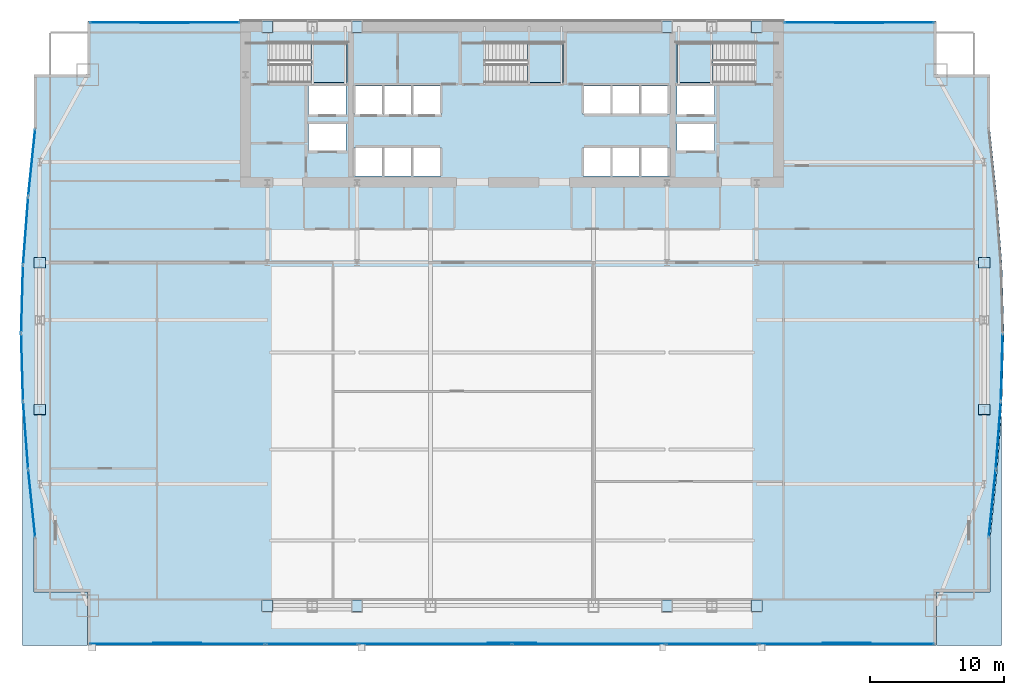
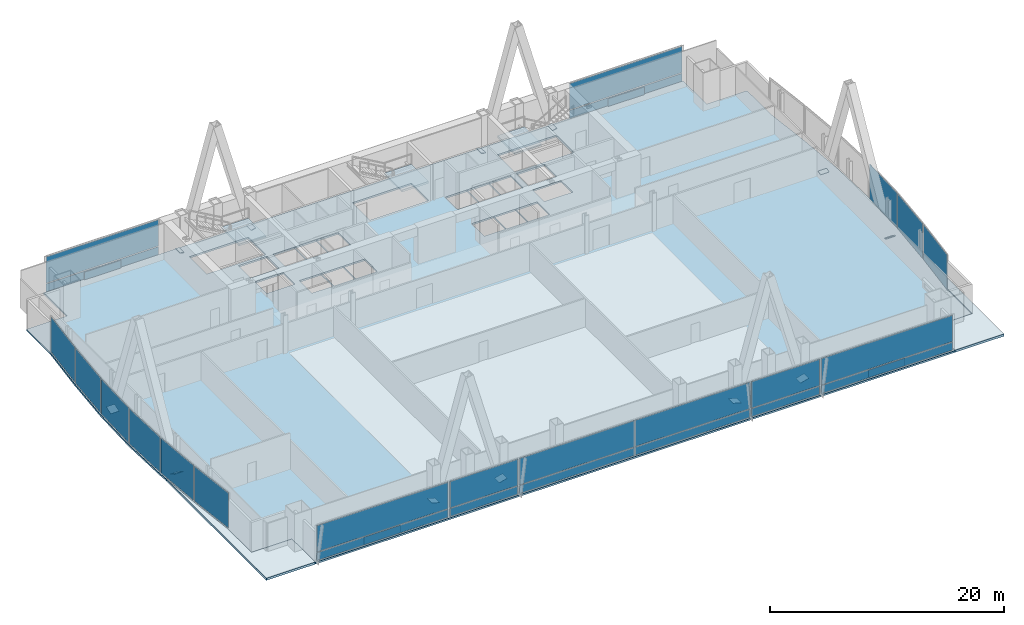
# One storey, part 26 of 35: 42 plates, 6 slabs, 19 elements without a shape of their own.
"""IFC4 building model written with IfcOpenShell, lengths in metres."""

import ifcopenshell
import ifcopenshell.guid

model = None  # the IFC model being written
_history = None  # IfcOwnerHistory: only IFC2X3 demands one
_inside = {}  # id of a spatial element -> (the spatial element, [elements in it])
_under = {}  # id of a project, library or spatial element -> (it, [spatial elements below it])
_declared = {}  # id of a project -> (the project, [libraries it declares])
_typed = {}  # id of a type object -> (the type object, [elements of that type])
_made_of = {}  # id of a material, layer set ... -> (it, [elements and type objects made of it])


def new_model(schema):
    """Start an empty IFC model of exactly this schema.

    Asked for "IFC4X3", IfcOpenShell would pick the latest addendum, in which some entities
    have other attributes; the version numbers below select the first issue.
    IFC2X3 requires an IfcOwnerHistory on every rooted entity: one is made here for all.
    """
    global model, _history
    if schema == "IFC4X3":
        model = ifcopenshell.file(schema_version=(4, 3, 0, 0))
    else:
        model = ifcopenshell.file(schema=schema)
    _inside.clear()
    _under.clear()
    _declared.clear()
    _typed.clear()
    _made_of.clear()
    _history = None
    if model.schema == "IFC2X3":
        org = make("IfcOrganization", Name="unknown")
        user = make(
            "IfcPersonAndOrganization",
            ThePerson=make("IfcPerson", FamilyName="unknown"),
            TheOrganization=org,
        )
        app = make(
            "IfcApplication",
            ApplicationDeveloper=org,
            Version="unknown",
            ApplicationFullName="unknown",
            ApplicationIdentifier="unknown",
        )
        _history = make(
            "IfcOwnerHistory",
            OwningUser=user,
            OwningApplication=app,
            ChangeAction="ADDED",
            CreationDate=0,
        )
    return model


def make(cls, **values):
    """One entity of the class cls with the attributes given. An attribute that is None is left unset."""
    return model.create_entity(
        cls, **{name: value for name, value in values.items() if value is not None}
    )


def rooted(cls, **values):
    """An entity with a GlobalId (a new one), such as an element, a storey or a relation."""
    return make(cls, GlobalId=ifcopenshell.guid.new(), OwnerHistory=_history, **values)


def si_unit(unit_type, name, prefix=None):
    """IfcSIUnit, for example si_unit("LENGTHUNIT", "METRE", prefix="MILLI")."""
    return make("IfcSIUnit", UnitType=unit_type, Prefix=prefix, Name=name)


def assignment(units):
    """IfcUnitAssignment: the units of a project."""
    return None if units is None else make("IfcUnitAssignment", Units=units)


def point(xyz):
    """IfcCartesianPoint."""
    return None if xyz is None else make("IfcCartesianPoint", Coordinates=xyz)


def direction(xyz):
    """IfcDirection."""
    return None if xyz is None else make("IfcDirection", DirectionRatios=xyz)


def frame(location, z_axis=None, x_axis=None):
    """IfcAxis2Placement3D, a coordinate frame: its origin and axes. An axis left out is left unset."""
    return make(
        "IfcAxis2Placement3D",
        Location=point(location),
        Axis=direction(z_axis),
        RefDirection=direction(x_axis),
    )


def frame_2d(location, x_axis=None):
    """IfcAxis2Placement2D, a coordinate frame in the plane: its origin and x axis."""
    return make(
        "IfcAxis2Placement2D", Location=point(location), RefDirection=direction(x_axis)
    )


def origin():
    """The frame at (0, 0, 0) with its axes left unset."""
    return frame((0.0, 0.0, 0.0))


def origin_2d():
    """The frame at (0, 0) in the plane with its x axis left unset."""
    return frame_2d((0.0, 0.0))


def place(relative_to, where):
    """IfcLocalPlacement: puts the frame where relative to a parent placement (None: the world)."""
    return make(
        "IfcLocalPlacement", PlacementRelTo=relative_to, RelativePlacement=where
    )


def context(
    kind, dimensions, precision=None, world=None, true_north=None, identifier=None
):
    """IfcGeometricRepresentationContext, for example the 3D "Model" context."""
    return make(
        "IfcGeometricRepresentationContext",
        ContextIdentifier=identifier,
        ContextType=kind,
        CoordinateSpaceDimension=dimensions,
        Precision=precision,
        WorldCoordinateSystem=world,
        TrueNorth=true_north,
    )


def subcontext(parent, identifier, kind, view, scale=None):
    """IfcGeometricRepresentationSubContext, for example "Body" below "Model"."""
    return make(
        "IfcGeometricRepresentationSubContext",
        ContextIdentifier=identifier,
        ContextType=kind,
        ParentContext=parent,
        TargetScale=scale,
        TargetView=view,
    )


def project(units=None, contexts=None):
    """IfcProject with its units and contexts."""
    return rooted(
        "IfcProject",
        Name="project",
        RepresentationContexts=contexts,
        UnitsInContext=assignment(units),
    )


def spatial(cls, under=None, at=None, **own):
    """A site, building, storey or space (cls), placed at a placement, below another one or the project."""
    s = rooted(cls, ObjectPlacement=at, **own)
    if under is not None:
        _under.setdefault(under.id(), (under, []))[1].append(s)
    return s


def polyline(points):
    """IfcPolyline through the points."""
    return make("IfcPolyline", Points=[point(p) for p in points])


def profile(cls, at=None, kind="AREA", **sizes):
    """A parametric profile (cls). Its sizes go by their IFC names, for example OverallWidth=200.0."""
    return make(cls, ProfileType=kind, Position=at, **sizes)


def rectangle(**sizes):
    """IfcRectangleProfileDef."""
    return profile("IfcRectangleProfileDef", **sizes)


def outline(outer, holes=None, kind="AREA"):
    """IfcArbitraryClosedProfileDef: a profile drawn as a closed curve; with holes, ...WithVoids."""
    if holes is None:
        return make("IfcArbitraryClosedProfileDef", ProfileType=kind, OuterCurve=outer)
    return make(
        "IfcArbitraryProfileDefWithVoids",
        ProfileType=kind,
        OuterCurve=outer,
        InnerCurves=holes,
    )


def extrude(swept, where, along, depth):
    """IfcExtrudedAreaSolid: the profile swept, set in the frame where, extruded along a direction by depth."""
    return make(
        "IfcExtrudedAreaSolid",
        SweptArea=swept,
        Position=where,
        ExtrudedDirection=direction(along),
        Depth=depth,
    )


def shape(context_of_items, identifier, shape_type, items):
    """IfcShapeRepresentation: the items that make up one representation, for example the "Body"."""
    return make(
        "IfcShapeRepresentation",
        ContextOfItems=context_of_items,
        RepresentationIdentifier=identifier,
        RepresentationType=shape_type,
        Items=items,
    )


def material(Name=None, Category=None):
    """IfcMaterial."""
    return make("IfcMaterial", Name=Name, Category=Category)


def layer(
    of_material, thickness, ventilated=None, Name=None, Category=None, Priority=None
):
    """IfcMaterialLayer: one layer of a wall or slab, of a material (None: an air gap)."""
    return make(
        "IfcMaterialLayer",
        Material=of_material,
        LayerThickness=thickness,
        IsVentilated=ventilated,
        Name=Name,
        Category=Category,
        Priority=Priority,
    )


def layer_set(layers, Name=None):
    """IfcMaterialLayerSet."""
    return make("IfcMaterialLayerSet", MaterialLayers=layers, LayerSetName=Name)


def made_of(thing, what):
    """Note that an element or type object is made of a material, layer set ...; save() writes the relation."""
    if what is not None:
        _made_of.setdefault(what.id(), (what, []))[1].append(thing)
    return thing


def type_object(cls, material=None, **own):
    """A type object (cls), such as IfcWallType, which elements share."""
    return made_of(rooted(cls, **own), material)


def element(
    cls,
    number,
    at=None,
    inside=None,
    cuts=None,
    type_object=None,
    material=None,
    context=None,
    identifier="Body",
    shape_type=None,
    held_by="IfcProductDefinitionShape",
    body=None,
    shapes=None,
    **own,
):
    """One element of the class cls, such as IfcWall. Its Tag is "e" and its number.

    at: its placement. inside: the storey or other place that contains it. cuts: it is an
    opening in that element (IfcRelVoidsElement). A single representation is given by context,
    identifier, shape_type and body (its items); several are given by shapes. held_by: the class
    of the entity that holds the representations. save() writes the other relations.
    """
    e = rooted(cls, Tag="e%d" % number, ObjectPlacement=at, **own)
    if body is not None:
        shapes = [shape(context, identifier, shape_type, body)]
    if shapes is not None:
        e.Representation = make(held_by, Representations=shapes)
    if inside is not None:
        _inside.setdefault(inside.id(), (inside, []))[1].append(e)
    if cuts is not None:
        rooted(
            "IfcRelVoidsElement", RelatingBuildingElement=cuts, RelatedOpeningElement=e
        )
    if type_object is not None:
        _typed.setdefault(type_object.id(), (type_object, []))[1].append(e)
    return made_of(e, material)


def aggregate(whole, parts):
    """IfcRelAggregates: a whole, such as a stair, and the parts it consists of."""
    return rooted("IfcRelAggregates", RelatingObject=whole, RelatedObjects=parts)


def save(model, path):
    """Write the relations noted so far, then the file.

    IfcRelAggregates (storeys below a building ...), IfcRelContainedInSpatialStructure (elements
    in a storey), IfcRelDefinesByType, IfcRelAssociatesMaterial and IfcRelDeclares: one each for
    every whole, place, type object, material and project.
    """
    for whole, parts in _under.values():
        aggregate(whole, parts)
    for where, things in _inside.values():
        rooted(
            "IfcRelContainedInSpatialStructure",
            RelatedElements=things,
            RelatingStructure=where,
        )
    for kind, things in _typed.values():
        rooted("IfcRelDefinesByType", RelatedObjects=things, RelatingType=kind)
    for what, things in _made_of.values():
        rooted("IfcRelAssociatesMaterial", RelatedObjects=things, RelatingMaterial=what)
    for by, libraries in _declared.values():
        rooted("IfcRelDeclares", RelatingContext=by, RelatedDefinitions=libraries)
    model.write(path)


model = new_model("IFC4")

# Units and contexts
model_context = context("Model", 3, precision=1e-05, world=origin(), true_north=direction((0.0, 1.0)))
body_context = subcontext(model_context, "Body", "Model", "MODEL_VIEW")
ifc_project = project(units=[si_unit("LENGTHUNIT", "METRE"), si_unit("AREAUNIT", "SQUARE_METRE"), si_unit("VOLUMEUNIT", "CUBIC_METRE"), si_unit("PLANEANGLEUNIT", "RADIAN"), si_unit("MASSUNIT", "GRAM", prefix="KILO")], contexts=[model_context])

# Site, building, storey
site_placement = place(None, origin())
site = spatial("IfcSite", under=ifc_project, at=site_placement, CompositionType="ELEMENT")
building_placement = place(site_placement, origin())
building = spatial("IfcBuilding", under=site, at=building_placement, Name="Khoronbel Lancet Exchange", CompositionType="ELEMENT")
storey_placement = place(building_placement, frame((0.0, 0.0, 25.800048828125)))
storey = spatial("IfcBuildingStorey", under=building, at=storey_placement, Name="L05", CompositionType="ELEMENT", Elevation=25.800048828125)

# Curtain wall, plate
ifc_material_1 = material(Name="Low-E Solar Control Insulating Glass", Category="glass")
curtain_wall_type_1 = type_object("IfcCurtainWallType", Name="CW-4", PredefinedType="NOTDEFINED", material=ifc_material_1)
curtain_wall_1_placement = place(storey_placement, origin())
curtain_wall_1 = element("IfcCurtainWall", 1, at=curtain_wall_1_placement, inside=storey, type_object=curtain_wall_type_1, Name="Unitised curtain wall CW-L05-E05", PredefinedType="NOTDEFINED")
ifc_material_2 = material(Name="Bronze-Anodised Aluminium 6063-T6", Category="aluminium")
ifc_layer_1 = layer(ifc_material_2, 0.050048828125, Name="Bronze-Anodised Aluminium 6063-T6")
ifc_layer_set_1 = layer_set([ifc_layer_1], Name="Bronze-Anodised Aluminium 6063-T6")
plate_type_1 = type_object("IfcPlateType", Name="PLT-CSP1", PredefinedType="SHEET", material=ifc_layer_set_1)
plate_1_placement = place(storey_placement, frame((0.22265625, 22.831298828125, 0.0849609375), z_axis=(0.0, 0.0, 1.0), x_axis=(-0.075395030141, 0.997153744129, 0.0)))
plate_1 = element("IfcPlate", 2, at=plate_1_placement, type_object=plate_type_1, Name="CW4 panel 1.1", PredefinedType="CURTAIN_PANEL", context=body_context, shape_type="SweptSolid", body=[
    extrude(rectangle(XDim=4.944580078125, YDim=0.0380859375, at=origin_2d()), origin(), (0.0, 0.0, 1.0), 3.64990234375),
])
aggregate(curtain_wall_1, [plate_1])

curtain_wall_2_placement = place(storey_placement, origin())
curtain_wall_2 = element("IfcCurtainWall", 3, at=curtain_wall_2_placement, inside=storey, type_object=curtain_wall_type_1, Name="Unitised curtain wall CW-L05-E06", PredefinedType="NOTDEFINED")
plate_2_placement = place(storey_placement, frame((-0.039794921875, 27.91064453125, 0.0849609375), z_axis=(0.0, 0.0, 1.0), x_axis=(-0.027673647157, 0.999617011286, 0.0)))
plate_2 = element("IfcPlate", 4, at=plate_2_placement, type_object=plate_type_1, Name="CW4 panel 1.1", PredefinedType="CURTAIN_PANEL", context=body_context, shape_type="SweptSolid", body=[
    extrude(rectangle(XDim=4.9306640625, YDim=0.0380859375, at=origin_2d()), origin(), (0.0, 0.0, 1.0), 3.64990234375),
])
aggregate(curtain_wall_2, [plate_2])

curtain_wall_3_placement = place(storey_placement, origin())
curtain_wall_3 = element("IfcCurtainWall", 5, at=curtain_wall_3_placement, inside=storey, type_object=curtain_wall_type_1, Name="Unitised curtain wall CW-L05-E07", PredefinedType="NOTDEFINED")
plate_3_placement = place(storey_placement, frame((-0.039794921875, 32.9892578125, 0.0849609375), z_axis=(0.0, 0.0, 1.0), x_axis=(0.027673647157, 0.999617011286, 0.0)))
plate_3 = element("IfcPlate", 6, at=plate_3_placement, type_object=plate_type_1, Name="CW4 panel 1.1", PredefinedType="CURTAIN_PANEL", context=body_context, shape_type="SweptSolid", body=[
    extrude(rectangle(XDim=4.9306640625, YDim=0.0380859375, at=origin_2d()), origin(), (0.0, 0.0, 1.0), 3.64990234375),
])
aggregate(curtain_wall_3, [plate_3])

curtain_wall_4_placement = place(storey_placement, origin())
curtain_wall_4 = element("IfcCurtainWall", 7, at=curtain_wall_4_placement, inside=storey, type_object=curtain_wall_type_1, Name="Unitised curtain wall CW-L05-E08", PredefinedType="NOTDEFINED")
plate_4_placement = place(storey_placement, frame((0.22265625, 38.068603515625, 0.0849609375), z_axis=(0.0, 0.0, 1.0), x_axis=(0.075395030141, 0.997153744129, 0.0)))
plate_4 = element("IfcPlate", 8, at=plate_4_placement, type_object=plate_type_1, Name="CW4 panel 1.1", PredefinedType="CURTAIN_PANEL", context=body_context, shape_type="SweptSolid", body=[
    extrude(rectangle(XDim=4.944580078125, YDim=0.0380859375, at=origin_2d()), origin(), (0.0, 0.0, 1.0), 3.64990234375),
])
aggregate(curtain_wall_4, [plate_4])

curtain_wall_type_2 = type_object("IfcCurtainWallType", Name="CW-1", PredefinedType="NOTDEFINED", material=ifc_material_1)
curtain_wall_5_placement = place(storey_placement, origin())
curtain_wall_5 = element("IfcCurtainWall", 9, at=curtain_wall_5_placement, inside=storey, type_object=curtain_wall_type_2, Name="Unitised curtain wall CW-L05-NWFLK", PredefinedType="NOTDEFINED")
plate_5_placement = place(storey_placement, frame((10.580078125, 53.550048828125, 0.0498046875), z_axis=(0.0, 0.0, 1.0), x_axis=(-1.0, 0.0, 0.0)))
plate_5 = element("IfcPlate", 10, at=plate_5_placement, type_object=plate_type_1, Name="Insulated bronze spandrel cassette CW-L05-NWFLK", PredefinedType="SHEET", context=body_context, shape_type="SweptSolid", body=[
    extrude(rectangle(XDim=3.60009765625, YDim=0.050048828125, at=origin_2d()), origin(), (0.0, 0.0, 1.0), 0.800048828125),
])

curtain_wall_6_placement = place(storey_placement, origin())
curtain_wall_6 = element("IfcCurtainWall", 11, at=curtain_wall_6_placement, inside=storey, type_object=curtain_wall_type_2, Name="Unitised curtain wall CW-L05-NEFLK", PredefinedType="NOTDEFINED")
plate_6_placement = place(storey_placement, frame((62.320068359375, 53.550048828125, 0.0498046875), z_axis=(0.0, 0.0, 1.0), x_axis=(-1.0, 0.0, 0.0)))
plate_6 = element("IfcPlate", 12, at=plate_6_placement, type_object=plate_type_1, Name="Insulated bronze spandrel cassette CW-L05-NEFLK", PredefinedType="SHEET", context=body_context, shape_type="SweptSolid", body=[
    extrude(rectangle(XDim=3.60009765625, YDim=0.050048828125, at=origin_2d()), origin(), (0.0, 0.0, 1.0), 0.800048828125),
])

curtain_wall_7_placement = place(storey_placement, origin())
curtain_wall_7 = element("IfcCurtainWall", 13, at=curtain_wall_7_placement, inside=storey, type_object=curtain_wall_type_1, Name="Unitised curtain wall CW-L05-E20", PredefinedType="NOTDEFINED")
plate_7_placement = place(storey_placement, frame((72.939697265625, 27.91064453125, 0.0849609375), z_axis=(0.0, 0.0, 1.0), x_axis=(-0.027673647157, -0.999617011286, 0.0)))
plate_7 = element("IfcPlate", 14, at=plate_7_placement, type_object=plate_type_1, Name="CW4 panel 1.1", PredefinedType="CURTAIN_PANEL", context=body_context, shape_type="SweptSolid", body=[
    extrude(rectangle(XDim=4.9306640625, YDim=0.0380859375, at=origin_2d()), origin(), (0.0, 0.0, 1.0), 3.64990234375),
])
aggregate(curtain_wall_7, [plate_7])

curtain_wall_8_placement = place(storey_placement, origin())
curtain_wall_8 = element("IfcCurtainWall", 15, at=curtain_wall_8_placement, inside=storey, type_object=curtain_wall_type_1, Name="Unitised curtain wall CW-L05-E21", PredefinedType="NOTDEFINED")
plate_8_placement = place(storey_placement, frame((72.67724609375, 22.831298828125, 0.0849609375), z_axis=(0.0, 0.0, 1.0), x_axis=(-0.075395030141, -0.997153744129, 0.0)))
plate_8 = element("IfcPlate", 16, at=plate_8_placement, type_object=plate_type_1, Name="CW4 panel 1.1", PredefinedType="CURTAIN_PANEL", context=body_context, shape_type="SweptSolid", body=[
    extrude(rectangle(XDim=4.944580078125, YDim=0.0380859375, at=origin_2d()), origin(), (0.0, 0.0, 1.0), 3.64990234375),
])
aggregate(curtain_wall_8, [plate_8])

curtain_wall_9_placement = place(storey_placement, origin())
curtain_wall_9 = element("IfcCurtainWall", 17, at=curtain_wall_9_placement, inside=storey, type_object=curtain_wall_type_2, Name="Unitised curtain wall CW-L05-SWV", PredefinedType="NOTDEFINED")
plate_9_placement = place(storey_placement, frame((11.52001953125, 7.35009765625, 0.0498046875), z_axis=(0.0, 0.0, 1.0), x_axis=(1.0, 0.0, 0.0)))
plate_9 = element("IfcPlate", 18, at=plate_9_placement, type_object=plate_type_1, Name="Insulated bronze spandrel cassette CW-L05-SWV", PredefinedType="SHEET", context=body_context, shape_type="SweptSolid", body=[
    extrude(rectangle(XDim=3.60009765625, YDim=0.050048828125, at=origin_2d()), origin(), (0.0, 0.0, 1.0), 0.800048828125),
])

# Curtain wall, plates
curtain_wall_10_placement = place(storey_placement, origin())
curtain_wall_10 = element("IfcCurtainWall", 19, at=curtain_wall_10_placement, inside=storey, type_object=curtain_wall_type_2, Name="Unitised curtain wall CW-L05-SWB", PredefinedType="NOTDEFINED")
plate_10_placement = place(storey_placement, frame((21.550048828125, 7.2900390625, 0.0849609375), z_axis=(0.0, 0.0, 1.0), x_axis=(1.0, 0.0, 0.0)))
plate_10 = element("IfcPlate", 20, at=plate_10_placement, type_object=plate_type_1, Name="CW1 panel 1.1", PredefinedType="CURTAIN_PANEL", context=body_context, shape_type="SweptSolid", body=[
    extrude(rectangle(XDim=6.72998046875, YDim=0.0380859375, at=origin_2d()), origin(), (0.0, 0.0, 1.0), 0.822509765625),
])
plate_11_placement = place(storey_placement, frame((21.550048828125, 7.2900390625, 0.99267578125), z_axis=(0.0, 0.0, 1.0), x_axis=(1.0, 0.0, 0.0)))
plate_11 = element("IfcPlate", 21, at=plate_11_placement, type_object=plate_type_1, Name="CW1 panel 1.2", PredefinedType="CURTAIN_PANEL", context=body_context, shape_type="SweptSolid", body=[
    extrude(rectangle(XDim=6.72998046875, YDim=0.0380859375, at=origin_2d()), origin(), (0.0, 0.0, 1.0), 2.742431640625),
])
aggregate(curtain_wall_10, [plate_10, plate_11])

# Curtain wall, plate
curtain_wall_11_placement = place(storey_placement, origin())
curtain_wall_11 = element("IfcCurtainWall", 22, at=curtain_wall_11_placement, inside=storey, type_object=curtain_wall_type_2, Name="Unitised curtain wall CW-L05-SCV", PredefinedType="NOTDEFINED")
plate_12_placement = place(storey_placement, frame((36.449951171875, 7.35009765625, 0.0498046875), z_axis=(0.0, 0.0, 1.0), x_axis=(1.0, 0.0, 0.0)))
plate_12 = element("IfcPlate", 23, at=plate_12_placement, type_object=plate_type_1, Name="Insulated bronze spandrel cassette CW-L05-SCV", PredefinedType="SHEET", context=body_context, shape_type="SweptSolid", body=[
    extrude(rectangle(XDim=3.60009765625, YDim=0.050048828125, at=origin_2d()), origin(), (0.0, 0.0, 1.0), 0.800048828125),
])

# Curtain wall, plates
curtain_wall_12_placement = place(storey_placement, origin())
curtain_wall_12 = element("IfcCurtainWall", 24, at=curtain_wall_12_placement, inside=storey, type_object=curtain_wall_type_2, Name="Unitised curtain wall CW-L05-SEB", PredefinedType="NOTDEFINED")
plate_13_placement = place(storey_placement, frame((51.35009765625, 7.2900390625, 0.0849609375), z_axis=(0.0, 0.0, 1.0), x_axis=(1.0, 0.0, 0.0)))
plate_13 = element("IfcPlate", 25, at=plate_13_placement, type_object=plate_type_1, Name="CW1 panel 1.1", PredefinedType="CURTAIN_PANEL", context=body_context, shape_type="SweptSolid", body=[
    extrude(rectangle(XDim=6.72998046875, YDim=0.0380859375, at=origin_2d()), origin(), (0.0, 0.0, 1.0), 0.822509765625),
])
plate_14_placement = place(storey_placement, frame((51.35009765625, 7.2900390625, 0.99267578125), z_axis=(0.0, 0.0, 1.0), x_axis=(1.0, 0.0, 0.0)))
plate_14 = element("IfcPlate", 26, at=plate_14_placement, type_object=plate_type_1, Name="CW1 panel 1.2", PredefinedType="CURTAIN_PANEL", context=body_context, shape_type="SweptSolid", body=[
    extrude(rectangle(XDim=6.72998046875, YDim=0.0380859375, at=origin_2d()), origin(), (0.0, 0.0, 1.0), 2.742431640625),
])
aggregate(curtain_wall_12, [plate_13, plate_14])

# Curtain wall, plate
curtain_wall_13_placement = place(storey_placement, origin())
curtain_wall_13 = element("IfcCurtainWall", 27, at=curtain_wall_13_placement, inside=storey, type_object=curtain_wall_type_2, Name="Unitised curtain wall CW-L05-SEV", PredefinedType="NOTDEFINED")
plate_15_placement = place(storey_placement, frame((61.3798828125, 7.35009765625, 0.0498046875), z_axis=(0.0, 0.0, 1.0), x_axis=(1.0, 0.0, 0.0)))
plate_15 = element("IfcPlate", 28, at=plate_15_placement, type_object=plate_type_1, Name="Insulated bronze spandrel cassette CW-L05-SEV", PredefinedType="SHEET", context=body_context, shape_type="SweptSolid", body=[
    extrude(rectangle(XDim=3.60009765625, YDim=0.050048828125, at=origin_2d()), origin(), (0.0, 0.0, 1.0), 0.800048828125),
])

# Plate
ifc_layer_2 = layer(ifc_material_1, 0.035888671875, Name="Low-E Solar Control Insulating Glass")
ifc_layer_set_2 = layer_set([ifc_layer_2], Name="Low-E Solar Control Insulating Glass")
plate_type_2 = type_object("IfcPlateType", Name="PLT-CWP1", PredefinedType="CURTAIN_PANEL", material=ifc_layer_set_2)
plate_16_placement = place(storey_placement, frame((10.580078125, 53.610107421875, 0.0849609375), z_axis=(0.0, 0.0, 1.0), x_axis=(-1.0, 0.0, 0.0)))
plate_16 = element("IfcPlate", 29, at=plate_16_placement, type_object=plate_type_2, Name="CW1 panel 1.1", PredefinedType="CURTAIN_PANEL", context=body_context, shape_type="SweptSolid", body=[
    extrude(rectangle(XDim=11.110107421875, YDim=0.0380859375, at=origin_2d()), origin(), (0.0, 0.0, 1.0), 0.822509765625),
])

plate_17_placement = place(storey_placement, frame((10.580078125, 53.610107421875, 0.99267578125), z_axis=(0.0, 0.0, 1.0), x_axis=(-1.0, 0.0, 0.0)))
plate_17 = element("IfcPlate", 30, at=plate_17_placement, type_object=plate_type_2, Name="CW1 panel 1.2", PredefinedType="CURTAIN_PANEL", context=body_context, shape_type="SweptSolid", body=[
    extrude(rectangle(XDim=11.110107421875, YDim=0.0380859375, at=origin_2d()), origin(), (0.0, 0.0, 1.0), 2.742431640625),
])

aggregate(curtain_wall_5, [plate_16, plate_17, plate_5])

plate_18_placement = place(storey_placement, frame((62.320068359375, 53.610107421875, 0.0849609375), z_axis=(0.0, 0.0, 1.0), x_axis=(-1.0, 0.0, 0.0)))
plate_18 = element("IfcPlate", 31, at=plate_18_placement, type_object=plate_type_2, Name="CW1 panel 1.1", PredefinedType="CURTAIN_PANEL", context=body_context, shape_type="SweptSolid", body=[
    extrude(rectangle(XDim=11.110107421875, YDim=0.0380859375, at=origin_2d()), origin(), (0.0, 0.0, 1.0), 0.822509765625),
])

plate_19_placement = place(storey_placement, frame((62.320068359375, 53.610107421875, 0.99267578125), z_axis=(0.0, 0.0, 1.0), x_axis=(-1.0, 0.0, 0.0)))
plate_19 = element("IfcPlate", 32, at=plate_19_placement, type_object=plate_type_2, Name="CW1 panel 1.2", PredefinedType="CURTAIN_PANEL", context=body_context, shape_type="SweptSolid", body=[
    extrude(rectangle(XDim=11.110107421875, YDim=0.0380859375, at=origin_2d()), origin(), (0.0, 0.0, 1.0), 2.742431640625),
])

aggregate(curtain_wall_6, [plate_18, plate_19, plate_6])

plate_20_placement = place(storey_placement, frame((11.52001953125, 7.2900390625, 0.0849609375), z_axis=(0.0, 0.0, 1.0), x_axis=(1.0, 0.0, 0.0)))
plate_20 = element("IfcPlate", 33, at=plate_20_placement, type_object=plate_type_2, Name="CW1 panel 1.1", PredefinedType="CURTAIN_PANEL", context=body_context, shape_type="SweptSolid", body=[
    extrude(rectangle(XDim=12.989990234375, YDim=0.0380859375, at=origin_2d()), origin(), (0.0, 0.0, 1.0), 0.822509765625),
])

plate_21_placement = place(storey_placement, frame((11.52001953125, 7.2900390625, 0.99267578125), z_axis=(0.0, 0.0, 1.0), x_axis=(1.0, 0.0, 0.0)))
plate_21 = element("IfcPlate", 34, at=plate_21_placement, type_object=plate_type_2, Name="CW1 panel 1.2", PredefinedType="CURTAIN_PANEL", context=body_context, shape_type="SweptSolid", body=[
    extrude(rectangle(XDim=12.989990234375, YDim=0.0380859375, at=origin_2d()), origin(), (0.0, 0.0, 1.0), 2.742431640625),
])

aggregate(curtain_wall_9, [plate_20, plate_21, plate_9])

plate_22_placement = place(storey_placement, frame((30.746337890625, 7.2900390625, 0.0849609375), z_axis=(0.0, 0.0, 1.0), x_axis=(1.0, 0.0, 0.0)))
plate_22 = element("IfcPlate", 35, at=plate_22_placement, type_object=plate_type_2, Name="CW1 panel 1.1", PredefinedType="CURTAIN_PANEL", context=body_context, shape_type="SweptSolid", body=[
    extrude(rectangle(XDim=11.322509765625, YDim=0.0380859375, at=origin_2d()), origin(), (0.0, 0.0, 1.0), 0.822509765625),
])

plate_23_placement = place(storey_placement, frame((30.746337890625, 7.2900390625, 0.99267578125), z_axis=(0.0, 0.0, 1.0), x_axis=(1.0, 0.0, 0.0)))
plate_23 = element("IfcPlate", 36, at=plate_23_placement, type_object=plate_type_2, Name="CW1 panel 1.2", PredefinedType="CURTAIN_PANEL", context=body_context, shape_type="SweptSolid", body=[
    extrude(rectangle(XDim=11.322509765625, YDim=0.0380859375, at=origin_2d()), origin(), (0.0, 0.0, 1.0), 2.742431640625),
])

plate_24_placement = place(storey_placement, frame((42.15380859375, 7.2900390625, 0.0849609375), z_axis=(0.0, 0.0, 1.0), x_axis=(1.0, 0.0, 0.0)))
plate_24 = element("IfcPlate", 37, at=plate_24_placement, type_object=plate_type_2, Name="CW1 panel 2.1", PredefinedType="CURTAIN_PANEL", context=body_context, shape_type="SweptSolid", body=[
    extrude(rectangle(XDim=11.322509765625, YDim=0.0380859375, at=origin_2d()), origin(), (0.0, 0.0, 1.0), 0.822509765625),
])

plate_25_placement = place(storey_placement, frame((42.15380859375, 7.2900390625, 0.99267578125), z_axis=(0.0, 0.0, 1.0), x_axis=(1.0, 0.0, 0.0)))
plate_25 = element("IfcPlate", 38, at=plate_25_placement, type_object=plate_type_2, Name="CW1 panel 2.2", PredefinedType="CURTAIN_PANEL", context=body_context, shape_type="SweptSolid", body=[
    extrude(rectangle(XDim=11.322509765625, YDim=0.0380859375, at=origin_2d()), origin(), (0.0, 0.0, 1.0), 2.742431640625),
])

aggregate(curtain_wall_11, [plate_22, plate_23, plate_24, plate_25, plate_12])

plate_26_placement = place(storey_placement, frame((61.3798828125, 7.2900390625, 0.0849609375), z_axis=(0.0, 0.0, 1.0), x_axis=(1.0, 0.0, 0.0)))
plate_26 = element("IfcPlate", 39, at=plate_26_placement, type_object=plate_type_2, Name="CW1 panel 1.1", PredefinedType="CURTAIN_PANEL", context=body_context, shape_type="SweptSolid", body=[
    extrude(rectangle(XDim=12.989990234375, YDim=0.0380859375, at=origin_2d()), origin(), (0.0, 0.0, 1.0), 0.822509765625),
])

plate_27_placement = place(storey_placement, frame((61.3798828125, 7.2900390625, 0.99267578125), z_axis=(0.0, 0.0, 1.0), x_axis=(1.0, 0.0, 0.0)))
plate_27 = element("IfcPlate", 40, at=plate_27_placement, type_object=plate_type_2, Name="CW1 panel 1.2", PredefinedType="CURTAIN_PANEL", context=body_context, shape_type="SweptSolid", body=[
    extrude(rectangle(XDim=12.989990234375, YDim=0.0380859375, at=origin_2d()), origin(), (0.0, 0.0, 1.0), 2.742431640625),
])

aggregate(curtain_wall_13, [plate_26, plate_27, plate_15])

# Curtain wall, plate
curtain_wall_14_placement = place(storey_placement, origin())
curtain_wall_14 = element("IfcCurtainWall", 41, at=curtain_wall_14_placement, inside=storey, type_object=curtain_wall_type_1, Name="Unitised curtain wall CW-L05-E04", PredefinedType="NOTDEFINED")
ifc_material_3 = material(Name="Ceramic-Fritted Laminated Insulating Glass", Category="glass")
ifc_layer_3 = layer(ifc_material_3, 0.0419921875, Name="Ceramic-Fritted Laminated Insulating Glass")
ifc_layer_set_3 = layer_set([ifc_layer_3], Name="Ceramic-Fritted Laminated Insulating Glass")
plate_type_3 = type_object("IfcPlateType", Name="PLT-CWP2", PredefinedType="CURTAIN_PANEL", material=ifc_layer_set_3)
plate_28_placement = place(storey_placement, frame((0.67724609375, 17.748046875, 0.0849609375), z_axis=(0.0, 0.0, 1.0), x_axis=(-0.102723015403, 0.994709998998, 0.0)))
plate_28 = element("IfcPlate", 42, at=plate_28_placement, type_object=plate_type_3, Name="CW4 panel 1.1", PredefinedType="CURTAIN_PANEL", context=body_context, shape_type="SweptSolid", body=[
    extrude(rectangle(XDim=4.9638671875, YDim=0.0380859375, at=origin_2d()), origin(), (0.0, 0.0, 1.0), 3.64990234375),
])
aggregate(curtain_wall_14, [plate_28])

curtain_wall_15_placement = place(storey_placement, origin())
curtain_wall_15 = element("IfcCurtainWall", 43, at=curtain_wall_15_placement, inside=storey, type_object=curtain_wall_type_1, Name="Unitised curtain wall CW-L05-E09", PredefinedType="NOTDEFINED")
plate_29_placement = place(storey_placement, frame((0.67724609375, 43.152099609375, 0.0849609375), z_axis=(0.0, 0.0, 1.0), x_axis=(0.102723015403, 0.994709998998, 0.0)))
plate_29 = element("IfcPlate", 44, at=plate_29_placement, type_object=plate_type_3, Name="CW4 panel 1.1", PredefinedType="CURTAIN_PANEL", context=body_context, shape_type="SweptSolid", body=[
    extrude(rectangle(XDim=4.9638671875, YDim=0.0380859375, at=origin_2d()), origin(), (0.0, 0.0, 1.0), 3.64990234375),
])
aggregate(curtain_wall_15, [plate_29])

curtain_wall_16_placement = place(storey_placement, origin())
curtain_wall_16 = element("IfcCurtainWall", 45, at=curtain_wall_16_placement, inside=storey, type_object=curtain_wall_type_1, Name="Unitised curtain wall CW-L05-E22", PredefinedType="NOTDEFINED")
plate_30_placement = place(storey_placement, frame((72.22265625, 17.748046875, 0.0849609375), z_axis=(0.0, 0.0, 1.0), x_axis=(-0.102723015403, -0.994709998998, 0.0)))
plate_30 = element("IfcPlate", 46, at=plate_30_placement, type_object=plate_type_3, Name="CW4 panel 1.1", PredefinedType="CURTAIN_PANEL", context=body_context, shape_type="SweptSolid", body=[
    extrude(rectangle(XDim=4.9638671875, YDim=0.0380859375, at=origin_2d()), origin(), (0.0, 0.0, 1.0), 3.64990234375),
])
aggregate(curtain_wall_16, [plate_30])

# Plates
ifc_material_4 = material(Name="Steel S460", Category="steel")
ifc_layer_4 = layer(ifc_material_4, 0.044921875, Name="Steel S460")
ifc_layer_set_4 = layer_set([ifc_layer_4], Name="Steel S460")
plate_type_4 = type_object("IfcPlateType", Name="PLT-ECP1", PredefinedType="USERDEFINED", material=ifc_layer_set_4)
for number, where, z_axis, x_axis, name in (
    (47, (18.6328125, 9.72998046875, -0.10107421875), (0.26795862665, 0.0, 0.963430420115), (0.0, 1.0, 0.0), "Hollow end cap plate PLT-CAP-MEM-MB-T01-S-W-L-0"),
    (48, (24.4921875, 10.570068359375, -0.10107421875), (-0.26795862665, 0.0, 0.963430420115), (0.0, -1.0, 0.0), "Hollow end cap plate PLT-CAP-MEM-MB-T01-S-W-R-0"),
    (49, (48.407958984375, 9.72998046875, -0.10107421875), (0.26795862665, 0.0, 0.963430420115), (0.0, 1.0, 0.0), "Hollow end cap plate PLT-CAP-MEM-MB-T01-S-E-L-0"),
    (50, (54.26708984375, 10.570068359375, -0.10107421875), (-0.26795862665, 0.0, 0.963430420115), (0.0, -1.0, 0.0), "Hollow end cap plate PLT-CAP-MEM-MB-T01-S-E-R-0"),
):
    element("IfcPlate", number, at=place(storey_placement, frame(where, z_axis=z_axis, x_axis=x_axis)), inside=storey, type_object=plate_type_4, Name=name, ObjectType="STIFFENER_PLATE", PredefinedType="USERDEFINED", context=body_context, shape_type="SweptSolid", body=[
        extrude(outline(polyline([(0.0, 0.0), (0.840087890625, 0.0), (0.840087890625, 0.840087890625), (0.0, 0.840087890625), (0.0, 0.0)])), origin(), (0.0, 0.0, -1.0), 0.044921875),
    ])
for number, where, z_axis, x_axis, name in (
    (51, (18.6328125, 52.860107421875, -0.10107421875), (0.26795862665, 0.0, 0.963430420115), (0.0, 1.0, 0.0), "Hollow end cap plate PLT-CAP-MEM-MB-T01-N-W-L-0"),
    (52, (24.4921875, 53.699951171875, -0.10107421875), (-0.26795862665, 0.0, 0.963430420115), (0.0, -1.0, 0.0), "Hollow end cap plate PLT-CAP-MEM-MB-T01-N-W-R-0"),
    (53, (48.407958984375, 52.860107421875, -0.10107421875), (0.26795862665, 0.0, 0.963430420115), (0.0, 1.0, 0.0), "Hollow end cap plate PLT-CAP-MEM-MB-T01-N-E-L-0"),
    (54, (54.26708984375, 53.699951171875, -0.10107421875), (-0.26795862665, 0.0, 0.963430420115), (0.0, -1.0, 0.0), "Hollow end cap plate PLT-CAP-MEM-MB-T01-N-E-R-0"),
):
    element("IfcPlate", number, at=place(storey_placement, frame(where, z_axis=z_axis, x_axis=x_axis)), inside=storey, type_object=plate_type_4, Name=name, ObjectType="STIFFENER_PLATE", PredefinedType="USERDEFINED", context=body_context, shape_type="SweptSolid", body=[
        extrude(outline(polyline([(0.0, 0.0), (0.83984375, 0.0), (0.83984375, 0.840087890625), (0.0, 0.840087890625), (0.0, 0.0)])), origin(), (0.0, 0.0, -1.0), 0.044921875),
    ])
for number, where, z_axis, x_axis, name in (
    (55, (1.68994140625, 25.122802734375, -0.19384765625), (0.0, 0.486309162349, 0.873786815314), (-1.0, 0.0, 0.0), "Hollow end cap plate PLT-CAP-MEM-MB-T01-W-P-L-0"),
    (56, (0.85009765625, 35.30029296875, -0.129638671875), (0.0, -0.335433979759, 0.942063716116), (1.0, 0.0, 0.0), "Hollow end cap plate PLT-CAP-MEM-MB-T01-W-P-R-0"),
):
    element("IfcPlate", number, at=place(storey_placement, frame(where, z_axis=z_axis, x_axis=x_axis)), inside=storey, type_object=plate_type_4, Name=name, ObjectType="STIFFENER_PLATE", PredefinedType="USERDEFINED", context=body_context, shape_type="SweptSolid", body=[
        extrude(outline(polyline([(0.0, 0.0), (0.83984375, 0.0), (0.83984375, 0.83984375), (0.0, 0.83984375), (0.0, 0.0)])), origin(), (0.0, 0.0, -1.0), 0.044921875),
    ])
for number, where, z_axis, x_axis, name in (
    (57, (72.050048828125, 25.122802734375, -0.19384765625), (0.0, 0.486309162349, 0.873786815314), (-1.0, 0.0, 0.0), "Hollow end cap plate PLT-CAP-MEM-MB-T01-E-P-L-0"),
    (58, (71.2099609375, 35.30029296875, -0.129638671875), (0.0, -0.335433979759, 0.942063716116), (1.0, 0.0, 0.0), "Hollow end cap plate PLT-CAP-MEM-MB-T01-E-P-R-0"),
):
    element("IfcPlate", number, at=place(storey_placement, frame(where, z_axis=z_axis, x_axis=x_axis)), inside=storey, type_object=plate_type_4, Name=name, ObjectType="STIFFENER_PLATE", PredefinedType="USERDEFINED", context=body_context, shape_type="SweptSolid", body=[
        extrude(outline(polyline([(0.0, 0.0), (0.840087890625, 0.0), (0.840087890625, 0.83984375), (0.0, 0.83984375), (0.0, 0.0)])), origin(), (0.0, 0.0, -1.0), 0.044921875),
    ])

# Slab
ifc_material_5 = material(Name="Concrete C40/50", Category="concrete")
ifc_layer_5 = layer(ifc_material_5, 0.179931640625, Name="Concrete C40/50")
ifc_layer_set_5 = layer_set([ifc_layer_5], Name="Concrete C40/50")
slab_type_1 = type_object("IfcSlabType", Name="SL-FL180", PredefinedType="FLOOR", material=ifc_layer_set_5)
slab_1_placement = place(storey_placement, frame((0.0, 0.0, -0.179931640625)))
element("IfcSlab", 59, at=slab_1_placement, inside=storey, type_object=slab_type_1, Name="Level L05 composite structural floor slab", PredefinedType="FLOOR", context=body_context, shape_type="SweptSolid", body=[
    extrude(outline(polyline([(4.85009765625, 7.199951171875), (68.050048828125, 7.199951171875), (68.050048828125, 11.199951171875), (72.050048828125, 11.199951171875), (72.050048828125, 15.199951171875), (72.574951171875, 20.283203125), (72.959228515625, 25.36669921875), (73.10009765625, 30.449951171875), (72.959228515625, 35.533203125), (72.574951171875, 40.61669921875), (72.050048828125, 45.699951171875), (72.050048828125, 49.699951171875), (68.050048828125, 49.699951171875), (68.050048828125, 53.699951171875), (4.85009765625, 53.699951171875), (4.85009765625, 49.699951171875), (0.85009765625, 49.699951171875), (0.85009765625, 45.699951171875), (0.324951171875, 40.61669921875), (-0.059326171875, 35.533203125), (-0.199951171875, 30.449951171875), (-0.059326171875, 25.36669921875), (0.324951171875, 20.283203125), (0.85009765625, 15.199951171875), (0.85009765625, 11.199951171875), (4.85009765625, 11.199951171875), (4.85009765625, 7.199951171875)]), holes=[polyline([(18.324951171875, 49.1201171875), (24.14990234375, 49.1201171875), (24.14990234375, 52.10009765625), (18.324951171875, 52.10009765625), (18.324951171875, 49.1201171875)]), polyline([(48.75, 49.1201171875), (54.574951171875, 49.1201171875), (54.574951171875, 52.10009765625), (48.75, 52.10009765625), (48.75, 49.1201171875)]), polyline([(34.425048828125, 49.1201171875), (40.25, 49.1201171875), (40.25, 52.10009765625), (34.425048828125, 52.10009765625), (34.425048828125, 49.1201171875)]), polyline([(24.699951171875, 46.75), (26.840087890625, 46.75), (26.840087890625, 48.85009765625), (24.699951171875, 48.85009765625), (24.699951171875, 46.75)]), polyline([(26.860107421875, 46.75), (29.0, 46.75), (29.0, 48.85009765625), (26.860107421875, 48.85009765625), (26.860107421875, 46.75)]), polyline([(29.02001953125, 46.75), (31.159912109375, 46.75), (31.159912109375, 48.85009765625), (29.02001953125, 48.85009765625), (29.02001953125, 46.75)]), polyline([(24.699951171875, 42.14990234375), (26.840087890625, 42.14990234375), (26.840087890625, 44.300048828125), (24.699951171875, 44.300048828125), (24.699951171875, 42.14990234375)]), polyline([(26.860107421875, 42.14990234375), (29.0, 42.14990234375), (29.0, 44.300048828125), (26.860107421875, 44.300048828125), (26.860107421875, 42.14990234375)]), polyline([(29.02001953125, 42.14990234375), (31.159912109375, 42.14990234375), (31.159912109375, 44.300048828125), (29.02001953125, 44.300048828125), (29.02001953125, 42.14990234375)]), polyline([(41.739990234375, 46.75), (43.8798828125, 46.75), (43.8798828125, 48.85009765625), (41.739990234375, 48.85009765625), (41.739990234375, 46.75)]), polyline([(43.89990234375, 46.75), (46.0400390625, 46.75), (46.0400390625, 48.85009765625), (43.89990234375, 48.85009765625), (43.89990234375, 46.75)]), polyline([(46.06005859375, 46.75), (48.199951171875, 46.75), (48.199951171875, 48.85009765625), (46.06005859375, 48.85009765625), (46.06005859375, 46.75)]), polyline([(41.739990234375, 42.14990234375), (43.8798828125, 42.14990234375), (43.8798828125, 44.300048828125), (41.739990234375, 44.300048828125), (41.739990234375, 42.14990234375)]), polyline([(43.89990234375, 42.14990234375), (46.0400390625, 42.14990234375), (46.0400390625, 44.300048828125), (43.89990234375, 44.300048828125), (43.89990234375, 42.14990234375)]), polyline([(46.06005859375, 42.14990234375), (48.199951171875, 42.14990234375), (48.199951171875, 44.300048828125), (46.06005859375, 44.300048828125), (46.06005859375, 42.14990234375)]), polyline([(21.300048828125, 46.75), (24.10009765625, 46.75), (24.10009765625, 48.85009765625), (21.300048828125, 48.85009765625), (21.300048828125, 46.75)]), polyline([(48.75, 46.75), (51.550048828125, 46.75), (51.550048828125, 48.85009765625), (48.75, 48.85009765625), (48.75, 46.75)]), polyline([(21.300048828125, 44.050048828125), (24.10009765625, 44.050048828125), (24.10009765625, 46.050048828125), (21.300048828125, 46.050048828125), (21.300048828125, 44.050048828125)]), polyline([(48.75, 44.050048828125), (51.550048828125, 44.050048828125), (51.550048828125, 46.050048828125), (48.75, 46.050048828125), (48.75, 44.050048828125)])]), origin(), (0.0, 0.0, 1.0), 0.179931640625),
])

# Stair, slab
stair_type = type_object("IfcStairType", Name="STR-CORE150", PredefinedType="HALF_TURN_STAIR", material=ifc_material_5)
stair_1_placement = place(storey_placement, origin())
stair_1 = element("IfcStair", 60, at=stair_1_placement, inside=storey, type_object=stair_type, Name="L05 Protected Exit Stair ST1", PredefinedType="HALF_TURN_STAIR")
ifc_layer_6 = layer(ifc_material_5, 0.199951171875, Name="Concrete C40/50")
ifc_layer_set_6 = layer_set([ifc_layer_6], Name="Concrete C40/50")
slab_type_2 = type_object("IfcSlabType", Name="SL-LND180", PredefinedType="LANDING", material=ifc_layer_set_6)
slab_2_placement = place(storey_placement, frame((0.0, 0.0, 1.800048828125)))
slab_2 = element("IfcSlab", 61, at=slab_2_placement, type_object=slab_type_2, Name="ST1 landing 1", PredefinedType="LANDING", context=body_context, shape_type="SweptSolid", body=[
    extrude(outline(polyline([(21.489990234375, 49.1201171875), (24.14990234375, 49.1201171875), (24.14990234375, 52.10009765625), (21.489990234375, 52.10009765625), (21.489990234375, 49.1201171875)])), origin(), (0.0, 0.0, 1.0), 0.199951171875),
])
aggregate(stair_1, [slab_2])

stair_2_placement = place(storey_placement, origin())
stair_2 = element("IfcStair", 62, at=stair_2_placement, inside=storey, type_object=stair_type, Name="L05 Protected Exit Stair ST2", PredefinedType="HALF_TURN_STAIR")
slab_3_placement = place(storey_placement, frame((0.0, 0.0, 1.800048828125)))
slab_3 = element("IfcSlab", 63, at=slab_3_placement, type_object=slab_type_2, Name="ST2 landing 1", PredefinedType="LANDING", context=body_context, shape_type="SweptSolid", body=[
    extrude(outline(polyline([(51.409912109375, 52.10009765625), (48.75, 52.10009765625), (48.75, 49.1201171875), (51.409912109375, 49.1201171875), (51.409912109375, 52.10009765625)])), origin(), (0.0, 0.0, 1.0), 0.199951171875),
])
aggregate(stair_2, [slab_3])

stair_3_placement = place(storey_placement, origin())
stair_3 = element("IfcStair", 64, at=stair_3_placement, inside=storey, type_object=stair_type, Name="L05 Protected Exit Stair ST3", PredefinedType="HALF_TURN_STAIR")
slab_4_placement = place(storey_placement, frame((0.0, 0.0, 1.800048828125)))
slab_4 = element("IfcSlab", 65, at=slab_4_placement, type_object=slab_type_2, Name="ST3 landing 1", PredefinedType="LANDING", context=body_context, shape_type="SweptSolid", body=[
    extrude(outline(polyline([(37.590087890625, 49.1201171875), (40.25, 49.1201171875), (40.25, 52.10009765625), (37.590087890625, 52.10009765625), (37.590087890625, 49.1201171875)])), origin(), (0.0, 0.0, 1.0), 0.199951171875),
])
aggregate(stair_3, [slab_4])

# Slabs
ifc_layer_7 = layer(ifc_material_5, 0.22998046875, Name="Concrete C40/50")
ifc_layer_set_7 = layer_set([ifc_layer_7], Name="Concrete C40/50")
slab_type_3 = type_object("IfcSlabType", Name="SL-ROOF220", PredefinedType="ROOF", material=ifc_layer_set_7)
slab_5_placement = place(storey_placement, frame((0.0, 0.0, -0.179931640625)))
element("IfcSlab", 66, at=slab_5_placement, inside=storey, type_object=slab_type_3, Name="Level L05 setback roof slab 1", PredefinedType="ROOF", context=body_context, shape_type="SweptSolid", body=[
    extrude(outline(polyline([(0.0, 24.31689453125), (0.30517578125, 20.28173828125), (0.30517578125, 20.28125), (0.830078125, 15.198974609375), (0.830078125, 11.199951171875), (0.830078125, 11.197998046875), (0.830322265625, 11.196044921875), (0.830810546875, 11.194091796875), (0.83154296875, 11.1923828125), (0.83251953125, 11.190673828125), (0.83349609375, 11.18896484375), (0.83447265625, 11.187255859375), (0.8359375, 11.185791015625), (0.83740234375, 11.1845703125), (0.8388671875, 11.183349609375), (0.840576171875, 11.182373046875), (0.84228515625, 11.181396484375), (0.84423828125, 11.180908203125), (0.84619140625, 11.180419921875), (0.847900390625, 11.18017578125), (0.85009765625, 11.179931640625), (4.830078125, 11.179931640625), (4.830078125, 7.199951171875), (0.0, 7.199951171875), (0.0, 24.31689453125)])), origin(), (0.0, 0.0, 1.0), 0.22998046875),
])
slab_6_placement = place(storey_placement, frame((0.0, 0.0, -0.179931640625)))
element("IfcSlab", 67, at=slab_6_placement, inside=storey, type_object=slab_type_3, Name="Level L05 setback roof slab 2", PredefinedType="ROOF", context=body_context, shape_type="SweptSolid", body=[
    extrude(outline(polyline([(68.070068359375, 7.199951171875), (68.070068359375, 11.179931640625), (72.050048828125, 11.179931640625), (72.052001953125, 11.18017578125), (72.053955078125, 11.180419921875), (72.055908203125, 11.180908203125), (72.0576171875, 11.181396484375), (72.059326171875, 11.182373046875), (72.06103515625, 11.183349609375), (72.062744140625, 11.1845703125), (72.064208984375, 11.185791015625), (72.0654296875, 11.187255859375), (72.066650390625, 11.18896484375), (72.067626953125, 11.190673828125), (72.068603515625, 11.1923828125), (72.069091796875, 11.194091796875), (72.069580078125, 11.196044921875), (72.06982421875, 11.197998046875), (72.070068359375, 11.199951171875), (72.070068359375, 15.198974609375), (72.594970703125, 20.28125), (72.594970703125, 20.28173828125), (72.89990234375, 24.31689453125), (72.89990234375, 7.199951171875), (68.070068359375, 7.199951171875)])), origin(), (0.0, 0.0, 1.0), 0.22998046875),
])

save(model, "model.ifc")
